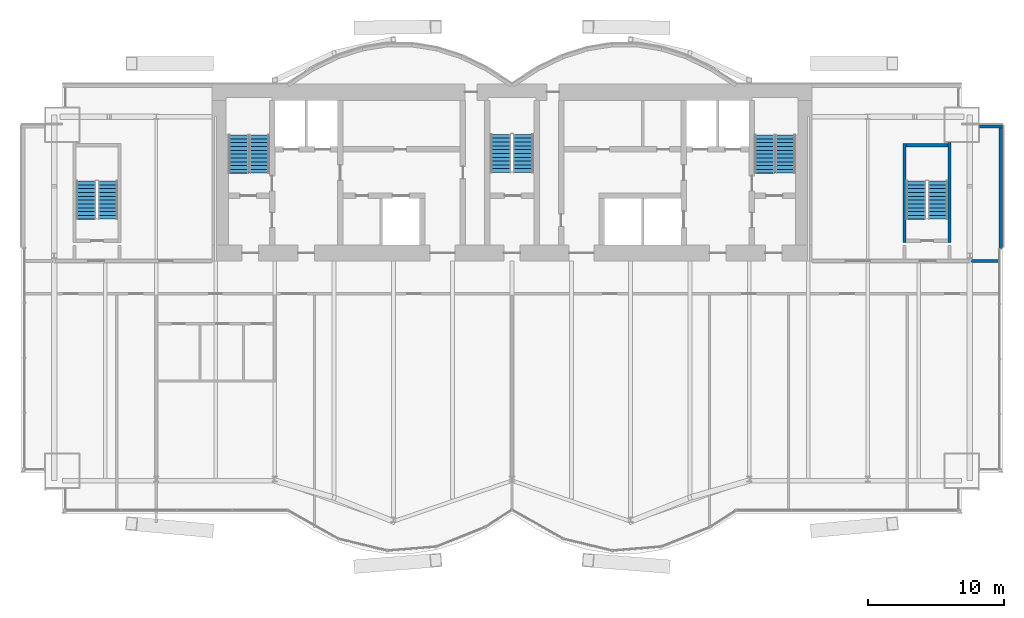
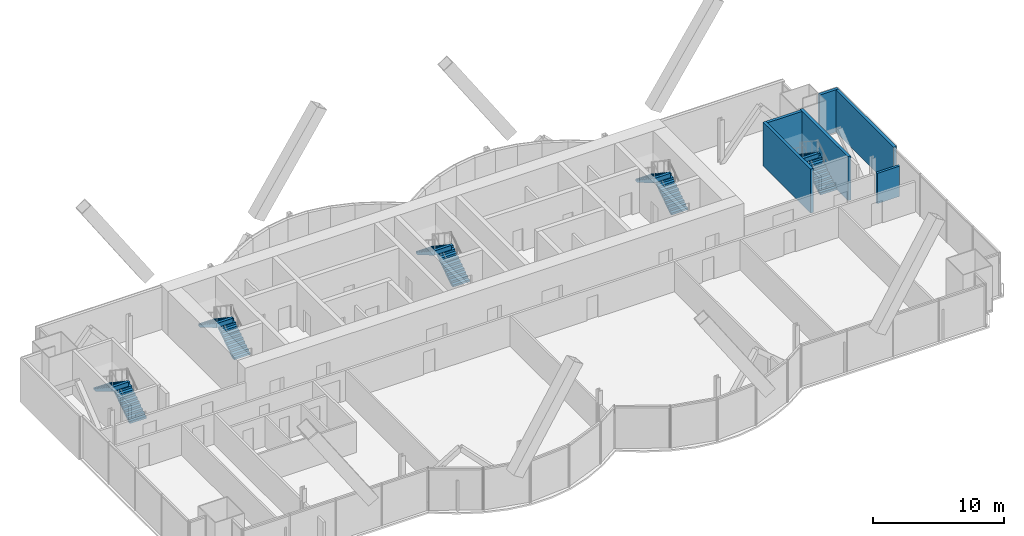
# One storey, part 17 of 20: 10 stair flights, 6 walls, 5 elements without a shape of their own.
"""IFC4 building model written with IfcOpenShell, lengths in metres."""

from ifc_helpers import new_model, si_unit, direction, frame, frame_2d, origin, place, context, subcontext, project, spatial, polyline, rectangle, outline, extrude, material, layer, layer_set, layer_usage, type_object, element, aggregate, save


model = new_model("IFC4")

# Units and contexts
model_context = context("Model", 3, precision=1e-05, world=origin(), true_north=direction((0.0, 1.0)))
body_context = subcontext(model_context, "Body", "Model", "MODEL_VIEW")
ifc_project = project(units=[si_unit("LENGTHUNIT", "METRE"), si_unit("AREAUNIT", "SQUARE_METRE"), si_unit("VOLUMEUNIT", "CUBIC_METRE"), si_unit("PLANEANGLEUNIT", "RADIAN"), si_unit("MASSUNIT", "GRAM", prefix="KILO")], contexts=[model_context])

# Site, building, storey
site_placement = place(None, origin())
site = spatial("IfcSite", under=ifc_project, at=site_placement, CompositionType="ELEMENT")
building_placement = place(site_placement, origin())
building = spatial("IfcBuilding", under=site, at=building_placement, Name="Bicima Exchange Tower", CompositionType="ELEMENT")
storey_placement = place(building_placement, frame((0.0, 0.0, 219.60009765625)))
storey = spatial("IfcBuildingStorey", under=building, at=storey_placement, Name="L49", CompositionType="ELEMENT", Elevation=219.60009765625)

# Walls
ifc_material_1 = material(Name="Gypsum board partition")
ifc_layer_1 = layer(ifc_material_1, 0.199951171875)
ifc_layer_set_1 = layer_set([ifc_layer_1], Name="Gypsum board partition")
wall_type_1 = type_object("IfcWallType", Name="Fire-rated gypsum partition 200 EI60", PredefinedType="PARTITIONING", material=ifc_layer_set_1)
wall_1_placement = place(storey_placement, frame((33.719970703125, -13.0, 0.0), z_axis=(0.0, 0.0, 1.0), x_axis=(1.0, 0.0, 0.0)))
element("IfcWall", 1, at=wall_1_placement, inside=storey, type_object=wall_type_1, Name="partition wall 7", PredefinedType="PARTITIONING", context=body_context, shape_type="SweptSolid", body=[
    extrude(rectangle(XDim=1.9599609375, YDim=0.199951171875, at=frame_2d((0.97998046875, 0.0))), origin(), (0.0, 0.0, 1.0), 2.840087890625),
])
ifc_material_2 = material(Name="Concrete C50/60", Category="concrete")
ifc_layer_2 = layer(ifc_material_2, 0.25)
ifc_layer_set_2 = layer_set([ifc_layer_2], Name="Concrete C50/60")
wall_type_2 = type_object("IfcWallType", Name="RC stair enclosure wall 250 C50/60", PredefinedType="SHEAR", material=ifc_layer_set_2)
wall_2_placement = place(storey_placement, frame((28.800048828125, -11.625, 0.0), z_axis=(0.0, 0.0, 1.0), x_axis=(0.0, 1.0, 0.0)))
element("IfcWall", 2, at=wall_2_placement, inside=storey, type_object=wall_type_2, Name="East end exit stair wall W", PredefinedType="SHEAR", context=body_context, shape_type="SweptSolid", body=[
    extrude(rectangle(XDim=7.25, YDim=0.25, at=frame_2d((3.625, 0.0))), origin(), (0.0, 0.0, 1.0), 4.099853515625),
])
wall_3_placement = place(storey_placement, frame((32.10009765625, -11.625, 0.0), z_axis=(0.0, 0.0, 1.0), x_axis=(0.0, 1.0, 0.0)))
element("IfcWall", 3, at=wall_3_placement, inside=storey, type_object=wall_type_2, Name="East end exit stair wall E", PredefinedType="SHEAR", context=body_context, shape_type="SweptSolid", body=[
    extrude(rectangle(XDim=7.324951171875, YDim=0.25, at=frame_2d((3.66259765625, 0.0))), origin(), (0.0, 0.0, 1.0), 4.099853515625),
])
wall_4_placement = place(storey_placement, frame((28.925048828125, -4.5, 0.0), z_axis=(0.0, 0.0, 1.0), x_axis=(1.0, 0.0, 0.0)))
element("IfcWall", 4, at=wall_4_placement, inside=storey, type_object=wall_type_2, Name="East end exit stair wall N", PredefinedType="SHEAR", context=body_context, shape_type="SweptSolid", body=[
    extrude(rectangle(XDim=3.050048828125, YDim=0.25, at=frame_2d((1.52490234375, 0.0))), origin(), (0.0, 0.0, 1.0), 4.099853515625),
])
ifc_material_3 = material(Name="Concrete C40/50", Category="concrete")
ifc_layer_3 = layer(ifc_material_3, 0.25)
ifc_layer_set_3 = layer_set([ifc_layer_3], Name="Concrete C40/50")
ifc_layer_usage = layer_usage(ifc_layer_set_3, "AXIS2", "POSITIVE", -0.125)
wall_type_3 = type_object("IfcWallType", Name="Rear backup wall 250", PredefinedType="STANDARD", material=ifc_layer_set_3)
wall_5_placement = place(storey_placement, frame((35.875, -12.090087890625, 0.0), z_axis=(0.0, 0.0, 1.0), x_axis=(0.0, 1.0, 0.0)))
element("IfcWall", 5, at=wall_5_placement, inside=storey, type_object=wall_type_3, material=ifc_layer_usage, Name="Rear backup wall L49 50", PredefinedType="STANDARD", context=body_context, shape_type="SweptSolid", body=[
    extrude(rectangle(XDim=9.090087890625, YDim=0.25, at=frame_2d((4.544921875, 0.0))), origin(), (0.0, 0.0, 1.0), 3.949951171875),
])
wall_6_placement = place(storey_placement, frame((36.0, -3.125, 0.0), z_axis=(0.0, 0.0, 1.0), x_axis=(-1.0, 0.0, 0.0)))
element("IfcWall", 6, at=wall_6_placement, inside=storey, type_object=wall_type_3, material=ifc_layer_usage, Name="Rear backup wall L49 51", PredefinedType="STANDARD", context=body_context, shape_type="SweptSolid", body=[
    extrude(rectangle(XDim=1.699951171875, YDim=0.25, at=frame_2d((0.85009765625, 0.0))), origin(), (0.0, 0.0, 1.0), 3.949951171875),
])

# Stair, stair flights
stair_type_1 = type_object("IfcStairType", Name="Exit stair", PredefinedType="HALF_TURN_STAIR", material=ifc_material_2)
stair_1_placement = place(storey_placement, origin())
stair_1 = element("IfcStair", 7, at=stair_1_placement, inside=storey, type_object=stair_type_1, Name="L49 West exit stair", PredefinedType="HALF_TURN_STAIR")
stair_flight_type_1 = type_object("IfcStairFlightType", Name="Stair flight RC", PredefinedType="STRAIGHT", material=ifc_material_2)
stair_flight_1_placement = place(storey_placement, frame((-18.52490234375, -6.550048828125, 0.0), z_axis=(0.0, 0.0, 1.0), x_axis=(0.0, 1.0, 0.0)))
stair_flight_1 = element("IfcStairFlight", 8, at=stair_flight_1_placement, type_object=stair_flight_type_1, Name="ST-W flight 1", NumberOfRisers=11, NumberOfTreads=10, PredefinedType="STRAIGHT", RiserHeight=0.186363636, TreadLength=0.28, context=body_context, shape_type="SweptSolid", body=[
    extrude(outline(polyline([(0.0, 0.0), (0.0, 0.186279296875), (0.280029296875, 0.186279296875), (0.280029296875, 0.372802734375), (0.56005859375, 0.372802734375), (0.56005859375, 0.55908203125), (0.840087890625, 0.55908203125), (0.840087890625, 0.745361328125), (1.1201171875, 0.745361328125), (1.1201171875, 0.931884765625), (1.39990234375, 0.931884765625), (1.39990234375, 1.1181640625), (1.679931640625, 1.1181640625), (1.679931640625, 1.304443359375), (1.9599609375, 1.304443359375), (1.9599609375, 1.490966796875), (2.239990234375, 1.490966796875), (2.239990234375, 1.67724609375), (2.52001953125, 1.67724609375), (2.52001953125, 1.863525390625), (2.800048828125, 1.863525390625), (2.800048828125, 2.050048828125), (2.800048828125, 1.68359375), (0.2705078125, 0.0), (0.0, 0.0)])), frame((0.0, 0.72509765625, 0.0), z_axis=(0.0, -1.0, 0.0), x_axis=(1.0, 0.0, 0.0)), (0.0, 0.0, 1.0), 1.449951171875),
])
stair_flight_2_placement = place(storey_placement, frame((-20.074951171875, -3.75, 2.0498046875), z_axis=(0.0, 0.0, 1.0), x_axis=(0.0, -1.0, 0.0)))
stair_flight_2 = element("IfcStairFlight", 9, at=stair_flight_2_placement, type_object=stair_flight_type_1, Name="ST-W flight 2", NumberOfRisers=11, NumberOfTreads=10, PredefinedType="STRAIGHT", RiserHeight=0.186363636, TreadLength=0.28, context=body_context, shape_type="SweptSolid", body=[
    extrude(outline(polyline([(0.0, 0.0), (0.0, 0.186279296875), (0.280029296875, 0.186279296875), (0.280029296875, 0.372802734375), (0.56005859375, 0.372802734375), (0.56005859375, 0.55908203125), (0.840087890625, 0.55908203125), (0.840087890625, 0.745361328125), (1.1201171875, 0.745361328125), (1.1201171875, 0.931884765625), (1.39990234375, 0.931884765625), (1.39990234375, 1.1181640625), (1.679931640625, 1.1181640625), (1.679931640625, 1.304443359375), (1.9599609375, 1.304443359375), (1.9599609375, 1.490966796875), (2.239990234375, 1.490966796875), (2.239990234375, 1.67724609375), (2.52001953125, 1.67724609375), (2.52001953125, 1.863525390625), (2.800048828125, 1.863525390625), (2.800048828125, 1.904052734375), (2.81494140625, 1.904052734375), (2.81494140625, 1.507080078125), (0.2705078125, 0.0), (0.0, 0.0)])), frame((0.0, 0.72509765625, 0.0), z_axis=(0.0, -1.0, 0.0), x_axis=(1.0, 0.0, 0.0)), (0.0, 0.0, 1.0), 1.449951171875),
])
aggregate(stair_1, [stair_flight_1, stair_flight_2])

stair_2_placement = place(storey_placement, origin())
stair_2 = element("IfcStair", 10, at=stair_2_placement, inside=storey, type_object=stair_type_1, Name="L49 East exit stair", PredefinedType="HALF_TURN_STAIR")
stair_flight_3_placement = place(storey_placement, frame((20.074951171875, -6.550048828125, 0.0), z_axis=(0.0, 0.0, 1.0), x_axis=(0.0, 1.0, 0.0)))
stair_flight_3 = element("IfcStairFlight", 11, at=stair_flight_3_placement, type_object=stair_flight_type_1, Name="ST-E flight 1", NumberOfRisers=11, NumberOfTreads=10, PredefinedType="STRAIGHT", RiserHeight=0.186363636, TreadLength=0.28, context=body_context, shape_type="SweptSolid", body=[
    extrude(outline(polyline([(0.0, 0.0), (0.0, 0.186279296875), (0.280029296875, 0.186279296875), (0.280029296875, 0.372802734375), (0.56005859375, 0.372802734375), (0.56005859375, 0.55908203125), (0.840087890625, 0.55908203125), (0.840087890625, 0.745361328125), (1.1201171875, 0.745361328125), (1.1201171875, 0.931884765625), (1.39990234375, 0.931884765625), (1.39990234375, 1.1181640625), (1.679931640625, 1.1181640625), (1.679931640625, 1.304443359375), (1.9599609375, 1.304443359375), (1.9599609375, 1.490966796875), (2.239990234375, 1.490966796875), (2.239990234375, 1.67724609375), (2.52001953125, 1.67724609375), (2.52001953125, 1.863525390625), (2.800048828125, 1.863525390625), (2.800048828125, 2.050048828125), (2.800048828125, 1.68359375), (0.2705078125, 0.0), (0.0, 0.0)])), frame((0.0, 0.72509765625, 0.0), z_axis=(0.0, -1.0, 0.0), x_axis=(1.0, 0.0, 0.0)), (0.0, 0.0, 1.0), 1.449951171875),
])
stair_flight_4_placement = place(storey_placement, frame((18.52490234375, -3.75, 2.0498046875), z_axis=(0.0, 0.0, 1.0), x_axis=(0.0, -1.0, 0.0)))
stair_flight_4 = element("IfcStairFlight", 12, at=stair_flight_4_placement, type_object=stair_flight_type_1, Name="ST-E flight 2", NumberOfRisers=11, NumberOfTreads=10, PredefinedType="STRAIGHT", RiserHeight=0.186363636, TreadLength=0.28, context=body_context, shape_type="SweptSolid", body=[
    extrude(outline(polyline([(0.0, 0.0), (0.0, 0.186279296875), (0.280029296875, 0.186279296875), (0.280029296875, 0.372802734375), (0.56005859375, 0.372802734375), (0.56005859375, 0.55908203125), (0.840087890625, 0.55908203125), (0.840087890625, 0.745361328125), (1.1201171875, 0.745361328125), (1.1201171875, 0.931884765625), (1.39990234375, 0.931884765625), (1.39990234375, 1.1181640625), (1.679931640625, 1.1181640625), (1.679931640625, 1.304443359375), (1.9599609375, 1.304443359375), (1.9599609375, 1.490966796875), (2.239990234375, 1.490966796875), (2.239990234375, 1.67724609375), (2.52001953125, 1.67724609375), (2.52001953125, 1.863525390625), (2.800048828125, 1.863525390625), (2.800048828125, 1.904052734375), (2.81494140625, 1.904052734375), (2.81494140625, 1.507080078125), (0.2705078125, 0.0), (0.0, 0.0)])), frame((0.0, 0.72509765625, 0.0), z_axis=(0.0, -1.0, 0.0), x_axis=(1.0, 0.0, 0.0)), (0.0, 0.0, 1.0), 1.449951171875),
])
aggregate(stair_2, [stair_flight_3, stair_flight_4])

stair_3_placement = place(storey_placement, origin())
stair_3 = element("IfcStair", 13, at=stair_3_placement, inside=storey, type_object=stair_type_1, Name="L49 West end exit stair", PredefinedType="HALF_TURN_STAIR")
stair_flight_5_placement = place(storey_placement, frame((-29.64990234375, -9.925048828125, 0.0), z_axis=(0.0, 0.0, 1.0), x_axis=(0.0, 1.0, 0.0)))
stair_flight_5 = element("IfcStairFlight", 14, at=stair_flight_5_placement, type_object=stair_flight_type_1, Name="ST-WW flight 1", NumberOfRisers=11, NumberOfTreads=10, PredefinedType="STRAIGHT", RiserHeight=0.186363636, TreadLength=0.28, context=body_context, shape_type="SweptSolid", body=[
    extrude(outline(polyline([(0.0, 0.0), (0.0, 0.186279296875), (0.280029296875, 0.186279296875), (0.280029296875, 0.372802734375), (0.56005859375, 0.372802734375), (0.56005859375, 0.55908203125), (0.840087890625, 0.55908203125), (0.840087890625, 0.745361328125), (1.1201171875, 0.745361328125), (1.1201171875, 0.931884765625), (1.39990234375, 0.931884765625), (1.39990234375, 1.1181640625), (1.679931640625, 1.1181640625), (1.679931640625, 1.304443359375), (1.9599609375, 1.304443359375), (1.9599609375, 1.490966796875), (2.239990234375, 1.490966796875), (2.239990234375, 1.67724609375), (2.52001953125, 1.67724609375), (2.52001953125, 1.863525390625), (2.800048828125, 1.863525390625), (2.800048828125, 2.050048828125), (2.800048828125, 1.68359375), (0.2705078125, 0.0), (0.0, 0.0)])), frame((0.0, 0.72509765625, 0.0), z_axis=(0.0, -1.0, 0.0), x_axis=(1.0, 0.0, 0.0)), (0.0, 0.0, 1.0), 1.449951171875),
])
stair_flight_6_placement = place(storey_placement, frame((-31.25, -7.125, 2.0498046875), z_axis=(0.0, 0.0, 1.0), x_axis=(0.0, -1.0, 0.0)))
stair_flight_6 = element("IfcStairFlight", 15, at=stair_flight_6_placement, type_object=stair_flight_type_1, Name="ST-WW flight 2", NumberOfRisers=11, NumberOfTreads=10, PredefinedType="STRAIGHT", RiserHeight=0.186363636, TreadLength=0.28, context=body_context, shape_type="SweptSolid", body=[
    extrude(outline(polyline([(0.0, 0.0), (0.0, 0.186279296875), (0.280029296875, 0.186279296875), (0.280029296875, 0.372802734375), (0.56005859375, 0.372802734375), (0.56005859375, 0.55908203125), (0.840087890625, 0.55908203125), (0.840087890625, 0.745361328125), (1.1201171875, 0.745361328125), (1.1201171875, 0.931884765625), (1.39990234375, 0.931884765625), (1.39990234375, 1.1181640625), (1.679931640625, 1.1181640625), (1.679931640625, 1.304443359375), (1.9599609375, 1.304443359375), (1.9599609375, 1.490966796875), (2.239990234375, 1.490966796875), (2.239990234375, 1.67724609375), (2.52001953125, 1.67724609375), (2.52001953125, 1.863525390625), (2.800048828125, 1.863525390625), (2.800048828125, 1.904052734375), (2.81494140625, 1.904052734375), (2.81494140625, 1.507080078125), (0.2705078125, 0.0), (0.0, 0.0)])), frame((0.0, 0.72509765625, 0.0), z_axis=(0.0, -1.0, 0.0), x_axis=(1.0, 0.0, 0.0)), (0.0, 0.0, 1.0), 1.449951171875),
])
aggregate(stair_3, [stair_flight_5, stair_flight_6])

stair_4_placement = place(storey_placement, origin())
stair_4 = element("IfcStair", 16, at=stair_4_placement, inside=storey, type_object=stair_type_1, Name="L49 East end exit stair", PredefinedType="HALF_TURN_STAIR")
stair_flight_7_placement = place(storey_placement, frame((31.25, -9.925048828125, 0.0), z_axis=(0.0, 0.0, 1.0), x_axis=(0.0, 1.0, 0.0)))
stair_flight_7 = element("IfcStairFlight", 17, at=stair_flight_7_placement, type_object=stair_flight_type_1, Name="ST-EE flight 1", NumberOfRisers=11, NumberOfTreads=10, PredefinedType="STRAIGHT", RiserHeight=0.186363636, TreadLength=0.28, context=body_context, shape_type="SweptSolid", body=[
    extrude(outline(polyline([(0.0, 0.0), (0.0, 0.186279296875), (0.280029296875, 0.186279296875), (0.280029296875, 0.372802734375), (0.56005859375, 0.372802734375), (0.56005859375, 0.55908203125), (0.840087890625, 0.55908203125), (0.840087890625, 0.745361328125), (1.1201171875, 0.745361328125), (1.1201171875, 0.931884765625), (1.39990234375, 0.931884765625), (1.39990234375, 1.1181640625), (1.679931640625, 1.1181640625), (1.679931640625, 1.304443359375), (1.9599609375, 1.304443359375), (1.9599609375, 1.490966796875), (2.239990234375, 1.490966796875), (2.239990234375, 1.67724609375), (2.52001953125, 1.67724609375), (2.52001953125, 1.863525390625), (2.800048828125, 1.863525390625), (2.800048828125, 2.050048828125), (2.800048828125, 1.68359375), (0.2705078125, 0.0), (0.0, 0.0)])), frame((0.0, 0.72509765625, 0.0), z_axis=(0.0, -1.0, 0.0), x_axis=(1.0, 0.0, 0.0)), (0.0, 0.0, 1.0), 1.449951171875),
])
stair_flight_8_placement = place(storey_placement, frame((29.64990234375, -7.125, 2.0498046875), z_axis=(0.0, 0.0, 1.0), x_axis=(0.0, -1.0, 0.0)))
stair_flight_8 = element("IfcStairFlight", 18, at=stair_flight_8_placement, type_object=stair_flight_type_1, Name="ST-EE flight 2", NumberOfRisers=11, NumberOfTreads=10, PredefinedType="STRAIGHT", RiserHeight=0.186363636, TreadLength=0.28, context=body_context, shape_type="SweptSolid", body=[
    extrude(outline(polyline([(0.0, 0.0), (0.0, 0.186279296875), (0.280029296875, 0.186279296875), (0.280029296875, 0.372802734375), (0.56005859375, 0.372802734375), (0.56005859375, 0.55908203125), (0.840087890625, 0.55908203125), (0.840087890625, 0.745361328125), (1.1201171875, 0.745361328125), (1.1201171875, 0.931884765625), (1.39990234375, 0.931884765625), (1.39990234375, 1.1181640625), (1.679931640625, 1.1181640625), (1.679931640625, 1.304443359375), (1.9599609375, 1.304443359375), (1.9599609375, 1.490966796875), (2.239990234375, 1.490966796875), (2.239990234375, 1.67724609375), (2.52001953125, 1.67724609375), (2.52001953125, 1.863525390625), (2.800048828125, 1.863525390625), (2.800048828125, 1.904052734375), (2.81494140625, 1.904052734375), (2.81494140625, 1.507080078125), (0.2705078125, 0.0), (0.0, 0.0)])), frame((0.0, 0.72509765625, 0.0), z_axis=(0.0, -1.0, 0.0), x_axis=(1.0, 0.0, 0.0)), (0.0, 0.0, 1.0), 1.449951171875),
])
aggregate(stair_4, [stair_flight_7, stair_flight_8])

stair_type_2 = type_object("IfcStairType", Name="Exit stair 1500", PredefinedType="HALF_TURN_STAIR", material=ifc_material_2)
stair_5_placement = place(storey_placement, origin())
stair_5 = element("IfcStair", 19, at=stair_5_placement, inside=storey, type_object=stair_type_2, Name="L49 Central exit stair", PredefinedType="HALF_TURN_STAIR")
stair_flight_type_2 = type_object("IfcStairFlightType", Name="Stair flight RC 1500", PredefinedType="STRAIGHT", material=ifc_material_2)
stair_flight_9_placement = place(storey_placement, frame((0.824951171875, -6.5, 0.0), z_axis=(0.0, 0.0, 1.0), x_axis=(0.0, 1.0, 0.0)))
stair_flight_9 = element("IfcStairFlight", 20, at=stair_flight_9_placement, type_object=stair_flight_type_2, Name="ST-C flight 1", NumberOfRisers=11, NumberOfTreads=10, PredefinedType="STRAIGHT", RiserHeight=0.186363636, TreadLength=0.28, context=body_context, shape_type="SweptSolid", body=[
    extrude(outline(polyline([(0.0, 0.0), (0.0, 0.186279296875), (0.280029296875, 0.186279296875), (0.280029296875, 0.372802734375), (0.56005859375, 0.372802734375), (0.56005859375, 0.55908203125), (0.840087890625, 0.55908203125), (0.840087890625, 0.745361328125), (1.1201171875, 0.745361328125), (1.1201171875, 0.931884765625), (1.39990234375, 0.931884765625), (1.39990234375, 1.1181640625), (1.679931640625, 1.1181640625), (1.679931640625, 1.304443359375), (1.9599609375, 1.304443359375), (1.9599609375, 1.490966796875), (2.239990234375, 1.490966796875), (2.239990234375, 1.67724609375), (2.52001953125, 1.67724609375), (2.52001953125, 1.863525390625), (2.800048828125, 1.863525390625), (2.800048828125, 2.050048828125), (2.800048828125, 1.68359375), (0.2705078125, 0.0), (0.0, 0.0)])), frame((0.0, 0.75, 0.0), z_axis=(0.0, -1.0, 0.0), x_axis=(1.0, 0.0, 0.0)), (0.0, 0.0, 1.0), 1.5),
])
stair_flight_10_placement = place(storey_placement, frame((-0.824951171875, -3.699951171875, 2.0498046875), z_axis=(0.0, 0.0, 1.0), x_axis=(0.0, -1.0, 0.0)))
stair_flight_10 = element("IfcStairFlight", 21, at=stair_flight_10_placement, type_object=stair_flight_type_2, Name="ST-C flight 2", NumberOfRisers=11, NumberOfTreads=10, PredefinedType="STRAIGHT", RiserHeight=0.186363636, TreadLength=0.28, context=body_context, shape_type="SweptSolid", body=[
    extrude(outline(polyline([(0.0, 0.0), (0.0, 0.186279296875), (0.280029296875, 0.186279296875), (0.280029296875, 0.372802734375), (0.56005859375, 0.372802734375), (0.56005859375, 0.55908203125), (0.840087890625, 0.55908203125), (0.840087890625, 0.745361328125), (1.1201171875, 0.745361328125), (1.1201171875, 0.931884765625), (1.39990234375, 0.931884765625), (1.39990234375, 1.1181640625), (1.679931640625, 1.1181640625), (1.679931640625, 1.304443359375), (1.9599609375, 1.304443359375), (1.9599609375, 1.490966796875), (2.239990234375, 1.490966796875), (2.239990234375, 1.67724609375), (2.52001953125, 1.67724609375), (2.52001953125, 1.863525390625), (2.800048828125, 1.863525390625), (2.800048828125, 1.904052734375), (2.81494140625, 1.904052734375), (2.81494140625, 1.507080078125), (0.2705078125, 0.0), (0.0, 0.0)])), frame((0.0, 0.75, 0.0), z_axis=(0.0, -1.0, 0.0), x_axis=(1.0, 0.0, 0.0)), (0.0, 0.0, 1.0), 1.5),
])
aggregate(stair_5, [stair_flight_9, stair_flight_10])

save(model, "model.ifc")
